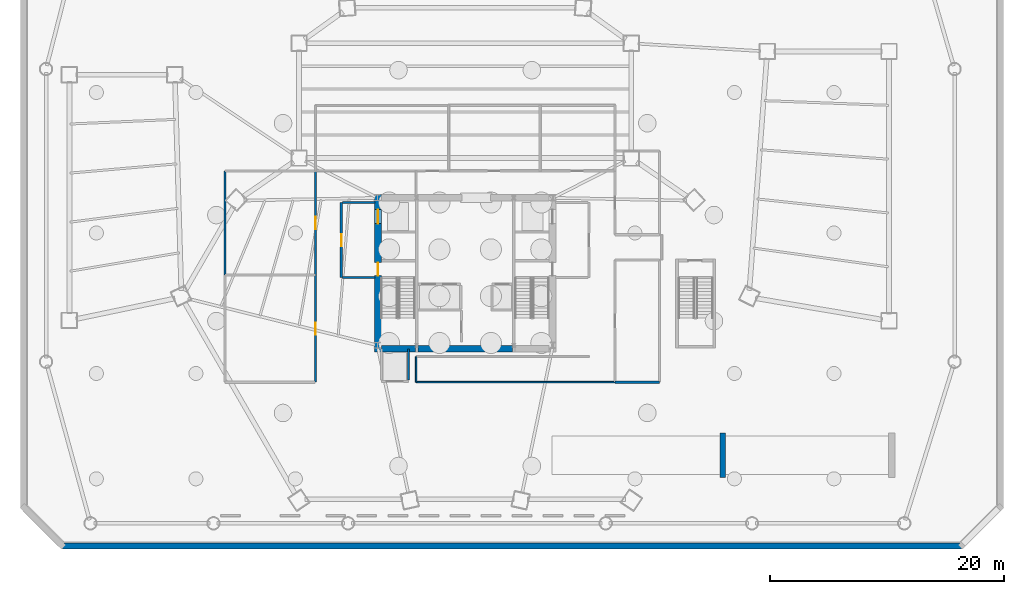
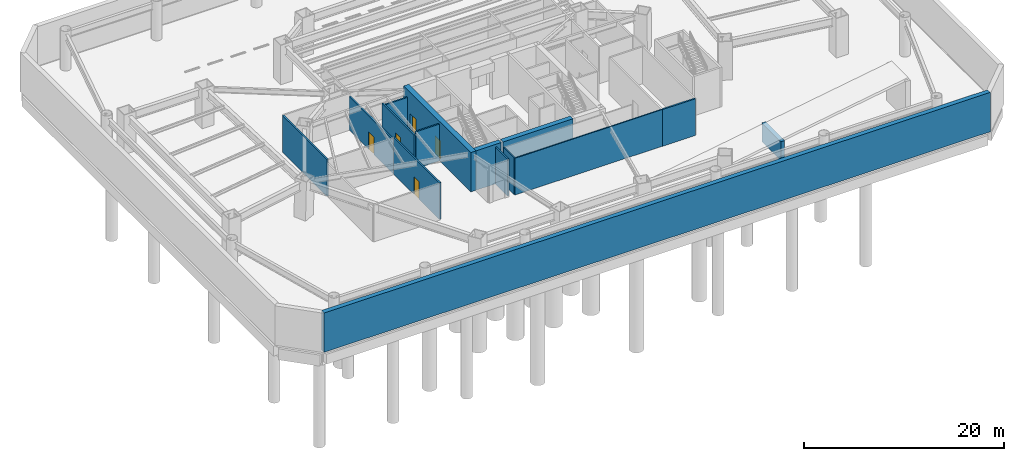
# One storey, part 6 of 11: 15 walls, 5 doors, 5 openings.
"""IFC4 building model written with IfcOpenShell, lengths in metres."""

from ifc_helpers import new_model, si_unit, direction, frame, frame_2d, origin, place, context, subcontext, project, spatial, rectangle, extrude, material, layer, layer_set, type_object, element, fill, save


model = new_model("IFC4")

# Units and contexts
model_context = context("Model", 3, precision=1e-05, world=origin(), true_north=direction((0.0, 1.0)))
body_context = subcontext(model_context, "Body", "Model", "MODEL_VIEW")
ifc_project = project(units=[si_unit("LENGTHUNIT", "METRE"), si_unit("AREAUNIT", "SQUARE_METRE"), si_unit("VOLUMEUNIT", "CUBIC_METRE"), si_unit("PLANEANGLEUNIT", "RADIAN"), si_unit("MASSUNIT", "GRAM", prefix="KILO")], contexts=[model_context])

# Site, building, storey
site_placement = place(None, origin())
site = spatial("IfcSite", under=ifc_project, at=site_placement, CompositionType="ELEMENT")
building_placement = place(site_placement, origin())
building = spatial("IfcBuilding", under=site, at=building_placement, Name="Caelisora Broadcast Tower", CompositionType="ELEMENT")
storey_placement = place(building_placement, frame((0.0, 0.0, -4.800048828125)))
storey = spatial("IfcBuildingStorey", under=building, at=storey_placement, Name="B1", CompositionType="ELEMENT", Elevation=-4.800048828125)

# Wall, openings, doors
ifc_material_1 = material(Name="Concrete 65 MPa (AS 3600 S65)", Category="concrete")
ifc_layer_1 = layer(ifc_material_1, 0.60009765625, Name="Concrete 65 MPa (AS 3600 S65)")
ifc_layer_set_1 = layer_set([ifc_layer_1], Name="Concrete 65 MPa (AS 3600 S65)")
wall_type_1 = type_object("IfcWallType", Name="CW1", PredefinedType="SHEAR", material=ifc_layer_set_1)
wall_1_placement = place(storey_placement, frame((30.5400390625, 16.85009765625, 0.0), z_axis=(0.0, 0.0, 1.0), x_axis=(0.0, 1.0, 0.0)))
wall_1 = element("IfcWall", 1, at=wall_1_placement, inside=storey, type_object=wall_type_1, Name="B1 core shear wall CW1", PredefinedType="SHEAR", context=body_context, shape_type="SweptSolid", body=[
    extrude(rectangle(XDim=13.4248046875, YDim=0.60009765625, at=frame_2d((6.71240234375, 0.0))), origin(), (0.0, 0.0, 1.0), 4.800048828125),
])
opening_1_placement = place(wall_1_placement, frame((6.5, 0.0, 0.0)))
opening_1 = element("IfcOpeningElement", 2, at=opening_1_placement, cuts=wall_1, Name="Opening FD04", PredefinedType="OPENING", context=body_context, shape_type="SweptSolid", body=[
    extrude(rectangle(XDim=1.1201171875, YDim=2.14990234375, at=frame_2d((0.56005859375, 1.074951171875))), frame((0.0, 0.31201171875, 0.0), z_axis=(0.0, -1.0, 0.0), x_axis=(1.0, 0.0, 0.0)), (0.0, 0.0, 1.0), 0.6240234375),
])
opening_2_placement = place(wall_1_placement, frame((10.949951171875, 0.0, 0.0)))
opening_2 = element("IfcOpeningElement", 3, at=opening_2_placement, cuts=wall_1, Name="Opening LD04", PredefinedType="OPENING", context=body_context, shape_type="SweptSolid", body=[
    extrude(rectangle(XDim=1.199951171875, YDim=2.199951171875, at=frame_2d((0.60009765625, 1.10009765625))), frame((0.0, 0.31201171875, 0.0), z_axis=(0.0, -1.0, 0.0), x_axis=(1.0, 0.0, 0.0)), (0.0, 0.0, 1.0), 0.6240234375),
])
ifc_material_2 = material(Name="Pressurised Fire-Isolated Stair Door", Category="steel")
door_type_1 = type_object("IfcDoorType", Name="FD04", OperationType="NOTDEFINED", PredefinedType="DOOR", material=ifc_material_2)
door_1_placement = place(opening_1_placement, origin())
door_1 = element("IfcDoor", 4, at=door_1_placement, inside=storey, type_object=door_type_1, Name="B1 door FD04 (B1-DR-ST1)", OperationType="SINGLE_SWING_LEFT", OverallHeight=2.14990234375, OverallWidth=1.1201171875, PredefinedType="DOOR", context=body_context, shape_type="SweptSolid", body=[
    extrude(rectangle(XDim=1.1201171875, YDim=2.14990234375, at=frame_2d((0.56005859375, 1.074951171875))), frame((0.0, 0.02490234375, 0.0), z_axis=(0.0, -1.0, 0.0), x_axis=(1.0, 0.0, 0.0)), (0.0, 0.0, 1.0), 0.050048828125),
])
fill(opening_1, door_1)
ifc_material_3 = material(Name="Emergency Firefighting Lift Sliding Landing Door", Category="steel")
door_type_2 = type_object("IfcDoorType", Name="LD04", OperationType="NOTDEFINED", PredefinedType="DOOR", material=ifc_material_3)
door_2_placement = place(opening_2_placement, origin())
door_2 = element("IfcDoor", 5, at=door_2_placement, inside=storey, type_object=door_type_2, Name="B1 door LD04 (B1-LD-FFL1)", OperationType="SLIDING_TO_LEFT", OverallHeight=2.199951171875, OverallWidth=1.199951171875, PredefinedType="DOOR", context=body_context, shape_type="SweptSolid", body=[
    extrude(rectangle(XDim=1.199951171875, YDim=2.199951171875, at=frame_2d((0.60009765625, 1.10009765625))), frame((0.0, 0.02490234375, 0.0), z_axis=(0.0, -1.0, 0.0), x_axis=(1.0, 0.0, 0.0)), (0.0, 0.0, 1.0), 0.050048828125),
])
fill(opening_2, door_2)

# Walls
ifc_layer_2 = layer(ifc_material_1, 0.550048828125, Name="Concrete 65 MPa (AS 3600 S65)")
ifc_layer_set_2 = layer_set([ifc_layer_2], Name="Concrete 65 MPa (AS 3600 S65)")
wall_type_2 = type_object("IfcWallType", Name="CW4", PredefinedType="SHEAR", material=ifc_layer_set_2)
wall_2_placement = place(storey_placement, frame((30.840087890625, 17.125, 0.0), z_axis=(0.0, 0.0, 1.0), x_axis=(1.0, 0.0, 0.0)))
element("IfcWall", 6, at=wall_2_placement, inside=storey, type_object=wall_type_2, Name="B1 core shear wall CW4", PredefinedType="SHEAR", context=body_context, shape_type="SweptSolid", body=[
    extrude(rectangle(XDim=2.89990234375, YDim=0.550048828125, at=frame_2d((1.449951171875, 0.0))), origin(), (0.0, 0.0, 1.0), 4.800048828125),
])
wall_3_placement = place(storey_placement, frame((33.9599609375, 17.125, 0.0), z_axis=(0.0, 0.0, 1.0), x_axis=(1.0, 0.0, 0.0)))
element("IfcWall", 7, at=wall_3_placement, inside=storey, type_object=wall_type_2, Name="B1 core shear wall CW4", PredefinedType="SHEAR", context=body_context, shape_type="SweptSolid", body=[
    extrude(rectangle(XDim=8.080078125, YDim=0.550048828125, at=frame_2d((4.0400390625, 0.0))), origin(), (0.0, 0.0, 1.0), 4.800048828125),
])
ifc_material_4 = material(Name="Concrete 50 MPa (AS 3600 S50)", Category="concrete")
ifc_layer_3 = layer(ifc_material_4, 0.449951171875, Name="Concrete 50 MPa (AS 3600 S50)")
ifc_layer_set_3 = layer_set([ifc_layer_3], Name="Concrete 50 MPa (AS 3600 S50)")
wall_type_3 = type_object("IfcWallType", Name="CW5", PredefinedType="SHEAR", material=ifc_layer_set_3)
wall_4_placement = place(storey_placement, frame((60.0, 6.10009765625, 0.0), z_axis=(0.0, 0.0, 1.0), x_axis=(0.0, 1.0, 0.0)))
element("IfcWall", 8, at=wall_4_placement, inside=storey, type_object=wall_type_3, Name="B1 core shear wall CW5", PredefinedType="SHEAR", context=body_context, shape_type="SweptSolid", body=[
    extrude(rectangle(XDim=3.7998046875, YDim=0.449951171875, at=frame_2d((1.89990234375, 0.0))), origin(), (0.0, 0.0, 1.0), 2.300048828125),
])
ifc_material_5 = material(Name="Fire-Rated Gypsum Shaft and Compartment Wall", Category="gypsum")
ifc_layer_4 = layer(ifc_material_5, 0.179931640625, Name="Fire-Rated Gypsum Shaft and Compartment Wall")
ifc_layer_set_4 = layer_set([ifc_layer_4], Name="Fire-Rated Gypsum Shaft and Compartment Wall")
wall_type_4 = type_object("IfcWallType", Name="PW2", PredefinedType="PARTITIONING", material=ifc_layer_set_4)
wall_5_placement = place(storey_placement, frame((33.14990234375, 14.419921875, 0.0), z_axis=(0.0, 0.0, 1.0), x_axis=(0.0, 1.0, 0.0)))
element("IfcWall", 9, at=wall_5_placement, inside=storey, type_object=wall_type_4, Name="B1 fire compartment wall PW2", PredefinedType="PARTITIONING", context=body_context, shape_type="SweptSolid", body=[
    extrude(rectangle(XDim=2.66015625, YDim=0.179931640625, at=frame_2d((1.330078125, 0.0))), origin(), (0.0, 0.0, 1.0), 4.47998046875),
])

# Wall, opening, door
wall_6_placement = place(storey_placement, frame((27.419921875, 23.199951171875, 0.0), z_axis=(0.0, 0.0, 1.0), x_axis=(0.0, 1.0, 0.0)))
wall_6 = element("IfcWall", 10, at=wall_6_placement, inside=storey, type_object=wall_type_4, Name="B1 fire compartment wall PW2", PredefinedType="PARTITIONING", context=body_context, shape_type="SweptSolid", body=[
    extrude(rectangle(XDim=6.400146484375, YDim=0.179931640625, at=frame_2d((3.2001953125, 0.0))), origin(), (0.0, 0.0, 1.0), 4.1064453125),
])
opening_3_placement = place(wall_6_placement, frame((2.64990234375, 0.0, 0.0)))
opening_3 = element("IfcOpeningElement", 11, at=opening_3_placement, cuts=wall_6, Name="Opening FD02", PredefinedType="OPENING", context=body_context, shape_type="SweptSolid", body=[
    extrude(rectangle(XDim=1.050048828125, YDim=2.14990234375, at=frame_2d((0.52490234375, 1.074951171875))), frame((0.0, 0.10205078125, 0.0), z_axis=(0.0, -1.0, 0.0), x_axis=(1.0, 0.0, 0.0)), (0.0, 0.0, 1.0), 0.203857421875),
])
ifc_material_6 = material(Name="Single-Leaf Steel Fire Lobby Door", Category="steel")
door_type_3 = type_object("IfcDoorType", Name="FD02", OperationType="NOTDEFINED", PredefinedType="DOOR", material=ifc_material_6)
door_3_placement = place(opening_3_placement, origin())
door_3 = element("IfcDoor", 12, at=door_3_placement, inside=storey, type_object=door_type_3, Name="B1 door FD02 (B1-DR-P01D1)", OperationType="SINGLE_SWING_LEFT", OverallHeight=2.14990234375, OverallWidth=1.050048828125, PredefinedType="DOOR", context=body_context, shape_type="SweptSolid", body=[
    extrude(rectangle(XDim=1.050048828125, YDim=2.14990234375, at=frame_2d((0.52490234375, 1.074951171875))), frame((0.0, 0.02490234375, 0.0), z_axis=(0.0, -1.0, 0.0), x_axis=(1.0, 0.0, 0.0)), (0.0, 0.0, 1.0), 0.050048828125),
])
fill(opening_3, door_3)

# Walls
wall_7_placement = place(storey_placement, frame((27.52001953125, 23.199951171875, 0.0), z_axis=(0.0, 0.0, 1.0), x_axis=(1.0, 0.0, 0.0)))
element("IfcWall", 13, at=wall_7_placement, inside=storey, type_object=wall_type_4, Name="B1 fire compartment wall PW2", PredefinedType="PARTITIONING", context=body_context, shape_type="SweptSolid", body=[
    extrude(rectangle(XDim=2.760009765625, YDim=0.179931640625, at=frame_2d((1.3798828125, 0.0))), origin(), (0.0, 0.0, 1.0), 4.47998046875),
])
wall_8_placement = place(storey_placement, frame((27.52001953125, 29.60009765625, 0.0), z_axis=(0.0, 0.0, 1.0), x_axis=(1.0, 0.0, 0.0)))
element("IfcWall", 14, at=wall_8_placement, inside=storey, type_object=wall_type_4, Name="B1 fire compartment wall PW2", PredefinedType="PARTITIONING", context=body_context, shape_type="SweptSolid", body=[
    extrude(rectangle(XDim=2.760009765625, YDim=0.179931640625, at=frame_2d((1.3798828125, 0.0))), origin(), (0.0, 0.0, 1.0), 3.853515625),
])

# Wall, opening, door
wall_9_placement = place(storey_placement, frame((25.199951171875, 23.39501953125, 0.0), z_axis=(0.0, 0.0, 1.0), x_axis=(0.0, -1.0, 0.0)))
wall_9 = element("IfcWall", 15, at=wall_9_placement, inside=storey, type_object=wall_type_4, Name="B1 fire compartment wall PW2", PredefinedType="PARTITIONING", context=body_context, shape_type="SweptSolid", body=[
    extrude(rectangle(XDim=9.14013671875, YDim=0.179931640625, at=frame_2d((4.570068359375, 0.0))), origin(), (0.0, 0.0, 1.0), 4.47998046875),
])
opening_4_placement = place(wall_9_placement, frame((4.044921875, 0.0, 0.0)))
opening_4 = element("IfcOpeningElement", 16, at=opening_4_placement, cuts=wall_9, Name="Opening FD02", PredefinedType="OPENING", context=body_context, shape_type="SweptSolid", body=[
    extrude(rectangle(XDim=1.050048828125, YDim=2.14990234375, at=frame_2d((0.52490234375, 1.074951171875))), frame((0.0, 0.10205078125, 0.0), z_axis=(0.0, -1.0, 0.0), x_axis=(1.0, 0.0, 0.0)), (0.0, 0.0, 1.0), 0.203857421875),
])
door_4_placement = place(opening_4_placement, origin())
door_4 = element("IfcDoor", 17, at=door_4_placement, inside=storey, type_object=door_type_3, Name="B1 door FD02 (B1-DR-RSC01)", OperationType="SINGLE_SWING_LEFT", OverallHeight=2.14990234375, OverallWidth=1.050048828125, PredefinedType="DOOR", context=body_context, shape_type="SweptSolid", body=[
    extrude(rectangle(XDim=1.050048828125, YDim=2.14990234375, at=frame_2d((0.52490234375, 1.074951171875))), frame((0.0, 0.02490234375, 0.0), z_axis=(0.0, -1.0, 0.0), x_axis=(1.0, 0.0, 0.0)), (0.0, 0.0, 1.0), 0.050048828125),
])
fill(opening_4, door_4)

# Wall
wall_10_placement = place(storey_placement, frame((17.5, 23.405029296875, 0.0), z_axis=(0.0, 0.0, 1.0), x_axis=(0.0, 1.0, 0.0)))
element("IfcWall", 18, at=wall_10_placement, inside=storey, type_object=wall_type_4, Name="B1 fire compartment wall PW2", PredefinedType="PARTITIONING", context=body_context, shape_type="SweptSolid", body=[
    extrude(rectangle(XDim=8.889892578125, YDim=0.179931640625, at=frame_2d((4.44482421875, 0.0))), origin(), (0.0, 0.0, 1.0), 4.47998046875),
])

# Wall, opening, door
wall_11_placement = place(storey_placement, frame((25.199951171875, 23.405029296875, 0.0), z_axis=(0.0, 0.0, 1.0), x_axis=(0.0, 1.0, 0.0)))
wall_11 = element("IfcWall", 19, at=wall_11_placement, inside=storey, type_object=wall_type_4, Name="B1 fire compartment wall PW2", PredefinedType="PARTITIONING", context=body_context, shape_type="SweptSolid", body=[
    extrude(rectangle(XDim=8.889892578125, YDim=0.179931640625, at=frame_2d((4.44482421875, 0.0))), origin(), (0.0, 0.0, 1.0), 4.1064453125),
])
opening_5_placement = place(wall_11_placement, frame((3.919921875, 0.0, 0.0)))
opening_5 = element("IfcOpeningElement", 20, at=opening_5_placement, cuts=wall_11, Name="Opening FD02", PredefinedType="OPENING", context=body_context, shape_type="SweptSolid", body=[
    extrude(rectangle(XDim=1.050048828125, YDim=2.14990234375, at=frame_2d((0.52490234375, 1.074951171875))), frame((0.0, 0.10205078125, 0.0), z_axis=(0.0, -1.0, 0.0), x_axis=(1.0, 0.0, 0.0)), (0.0, 0.0, 1.0), 0.203857421875),
])
door_5_placement = place(opening_5_placement, origin())
door_5 = element("IfcDoor", 21, at=door_5_placement, inside=storey, type_object=door_type_3, Name="B1 door FD02 (B1-DR-RSC02)", OperationType="SINGLE_SWING_RIGHT", OverallHeight=2.14990234375, OverallWidth=1.050048828125, PredefinedType="DOOR", context=body_context, shape_type="SweptSolid", body=[
    extrude(rectangle(XDim=1.050048828125, YDim=2.14990234375, at=frame_2d((0.52490234375, 1.074951171875))), frame((0.0, 0.02490234375, 0.0), z_axis=(0.0, -1.0, 0.0), x_axis=(1.0, 0.0, 0.0)), (0.0, 0.0, 1.0), 0.050048828125),
])
fill(opening_5, door_5)

# Walls
wall_12_placement = place(storey_placement, frame((50.804931640625, 14.25, 0.0), z_axis=(0.0, 0.0, 1.0), x_axis=(1.0, 0.0, 0.0)))
element("IfcWall", 22, at=wall_12_placement, inside=storey, type_object=wall_type_4, Name="B1 fire compartment wall PW2", PredefinedType="PARTITIONING", context=body_context, shape_type="SweptSolid", body=[
    extrude(rectangle(XDim=3.7900390625, YDim=0.179931640625, at=frame_2d((1.89501953125, 0.0))), origin(), (0.0, 0.0, 1.0), 4.47998046875),
])
ifc_material_7 = material(Name="Acoustic Steel-Stud Plasterboard Partition", Category="gypsum")
ifc_layer_5 = layer(ifc_material_7, 0.1298828125, Name="Acoustic Steel-Stud Plasterboard Partition")
ifc_layer_set_5 = layer_set([ifc_layer_5], Name="Acoustic Steel-Stud Plasterboard Partition")
wall_type_5 = type_object("IfcWallType", Name="PW3", PredefinedType="PARTITIONING", material=ifc_layer_set_5)
wall_13_placement = place(storey_placement, frame((33.81494140625, 14.25, 0.0), z_axis=(0.0, 0.0, 1.0), x_axis=(1.0, 0.0, 0.0)))
element("IfcWall", 23, at=wall_13_placement, inside=storey, type_object=wall_type_5, Name="B1 internal partition PW3", PredefinedType="PARTITIONING", context=body_context, shape_type="SweptSolid", body=[
    extrude(rectangle(XDim=16.97998046875, YDim=0.1298828125, at=frame_2d((8.489990234375, 0.0))), origin(), (0.0, 0.0, 1.0), 4.47998046875),
])
wall_14_placement = place(storey_placement, frame((33.81005859375, 16.445068359375, 0.0), z_axis=(0.0, 0.0, 1.0), x_axis=(0.0, -1.0, 0.0)))
element("IfcWall", 24, at=wall_14_placement, inside=storey, type_object=wall_type_5, Name="B1 internal partition PW3", PredefinedType="PARTITIONING", context=body_context, shape_type="SweptSolid", body=[
    extrude(rectangle(XDim=2.190185546875, YDim=0.1298828125, at=frame_2d((1.09521484375, 0.0))), origin(), (0.0, 0.0, 1.0), 4.47998046875),
])
ifc_layer_6 = layer(ifc_material_4, 0.52001953125, Name="Concrete 50 MPa (AS 3600 S50)")
ifc_layer_set_6 = layer_set([ifc_layer_6], Name="Concrete 50 MPa (AS 3600 S50)")
wall_type_6 = type_object("IfcWallType", Name="RW1", PredefinedType="SOLIDWALL", material=ifc_layer_set_6)
wall_15_placement = place(storey_placement, frame((80.412353515625, 0.260009765625, 0.0), z_axis=(0.0, 0.0, 1.0), x_axis=(-1.0, 0.0, 0.0)))
element("IfcWall", 25, at=wall_15_placement, inside=storey, type_object=wall_type_6, Name="B1 basement retaining wall RW1", PredefinedType="SOLIDWALL", context=body_context, shape_type="SweptSolid", body=[
    extrude(rectangle(XDim=76.82470703125, YDim=0.52001953125, at=frame_2d((38.412353515625, 0.0))), origin(), (0.0, 0.0, 1.0), 4.800048828125),
])

save(model, "model.ifc")
